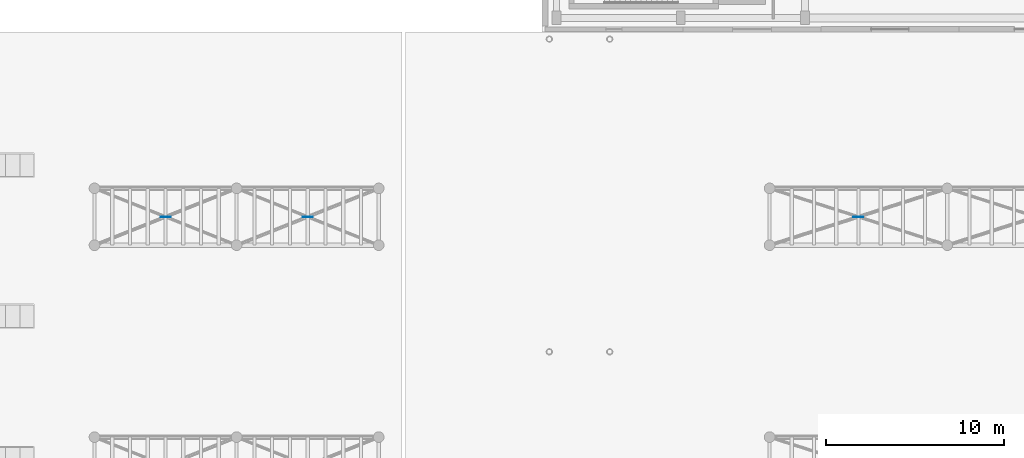
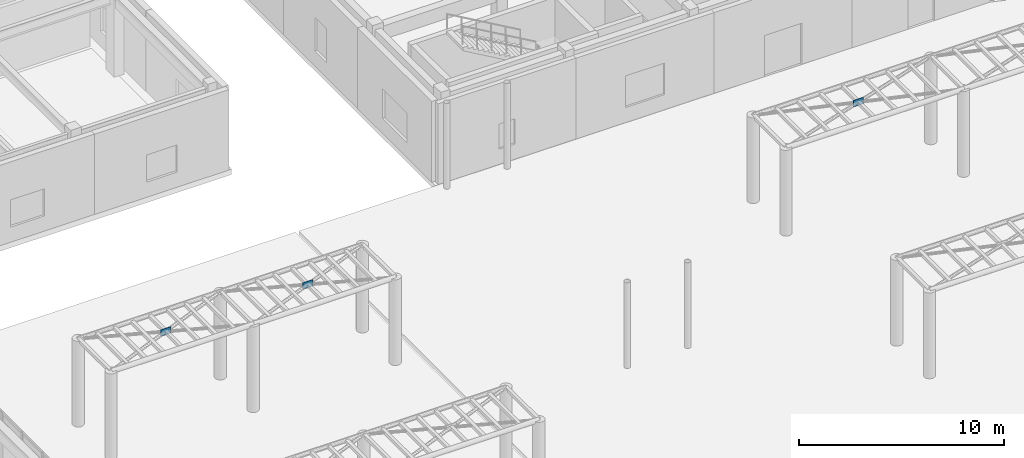
# One storey, part 93 of 121: 3 plates.
"""IFC4 building model written with IfcOpenShell, lengths in metres."""

from ifc_helpers import new_model, si_unit, direction, frame, origin, origin_2d, place, context, subcontext, project, spatial, rectangle, extrude, material, layer, layer_set, type_object, element, save


model = new_model("IFC4")

# Units and contexts
model_context = context("Model", 3, precision=1e-05, world=origin(), true_north=direction((0.0, 1.0)))
body_context = subcontext(model_context, "Body", "Model", "MODEL_VIEW")
ifc_project = project(units=[si_unit("LENGTHUNIT", "METRE"), si_unit("AREAUNIT", "SQUARE_METRE"), si_unit("VOLUMEUNIT", "CUBIC_METRE"), si_unit("PLANEANGLEUNIT", "RADIAN"), si_unit("MASSUNIT", "GRAM", prefix="KILO")], contexts=[model_context])

# Site, building, storey
site_placement = place(None, origin())
site = spatial("IfcSite", under=ifc_project, at=site_placement, CompositionType="ELEMENT")
building_placement = place(site_placement, origin())
building = spatial("IfcBuilding", under=site, at=building_placement, Name="Valcora Specialist Clinic", CompositionType="ELEMENT")
storey_placement = place(building_placement, origin())
storey = spatial("IfcBuildingStorey", under=building, at=storey_placement, Name="L00", CompositionType="ELEMENT", Elevation=0.0)

# Plates
ifc_material = material(Name="Steel ASTM A572 Grade 50", Category="steel")
ifc_layer = layer(ifc_material, 0.02294921875)
ifc_layer_set = layer_set([ifc_layer], Name="Steel ASTM A572 Grade 50")
plate_type = type_object("IfcPlateType", Name="TY-PL-GS6", PredefinedType="USERDEFINED", material=ifc_layer_set)
for number, where, z_axis, x_axis, name in (
    (1, (40.0, 63.60009765625, 4.85498046875), (0.0, 0.0, 1.0), (1.0, 0.0, 0.0), "Pergola X-brace crossing gusset 36-62"),
    (2, (48.0, 63.60009765625, 4.85498046875), (0.0, 0.0, 1.0), (1.0, 0.0, 0.0), "Pergola X-brace crossing gusset 44-62"),
    (3, (79.0, 63.60009765625, 4.85498046875), (0.0, 0.0, 1.0), (1.0, 0.0, 0.0), "Pergola X-brace crossing gusset 74-62"),
):
    element("IfcPlate", number, at=place(storey_placement, frame(where, z_axis=z_axis, x_axis=x_axis)), inside=storey, type_object=plate_type, Name=name, ObjectType="GUSSET_PLATE", PredefinedType="USERDEFINED", context=body_context, shape_type="SweptSolid", body=[
        extrude(rectangle(XDim=0.56005859375, YDim=0.02294921875, at=origin_2d()), origin(), (0.0, 0.0, 1.0), 0.389892578125),
    ])

save(model, "model.ifc")
